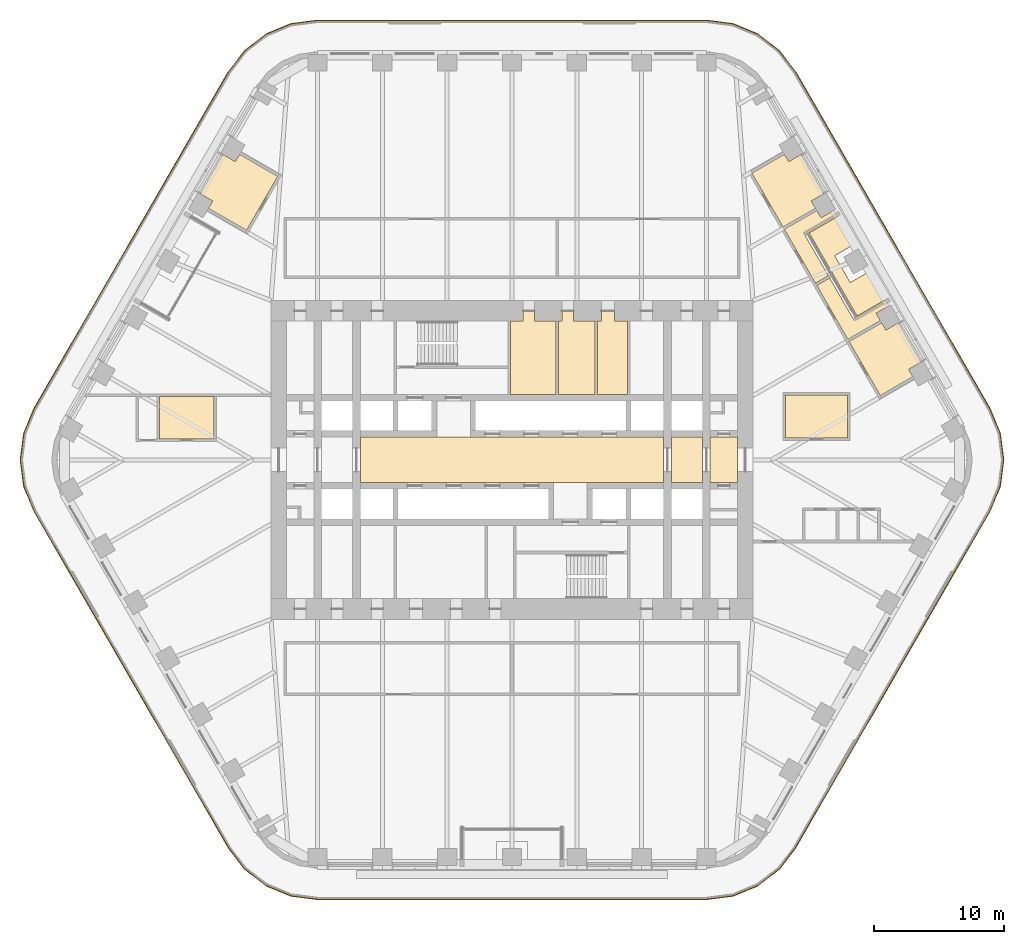
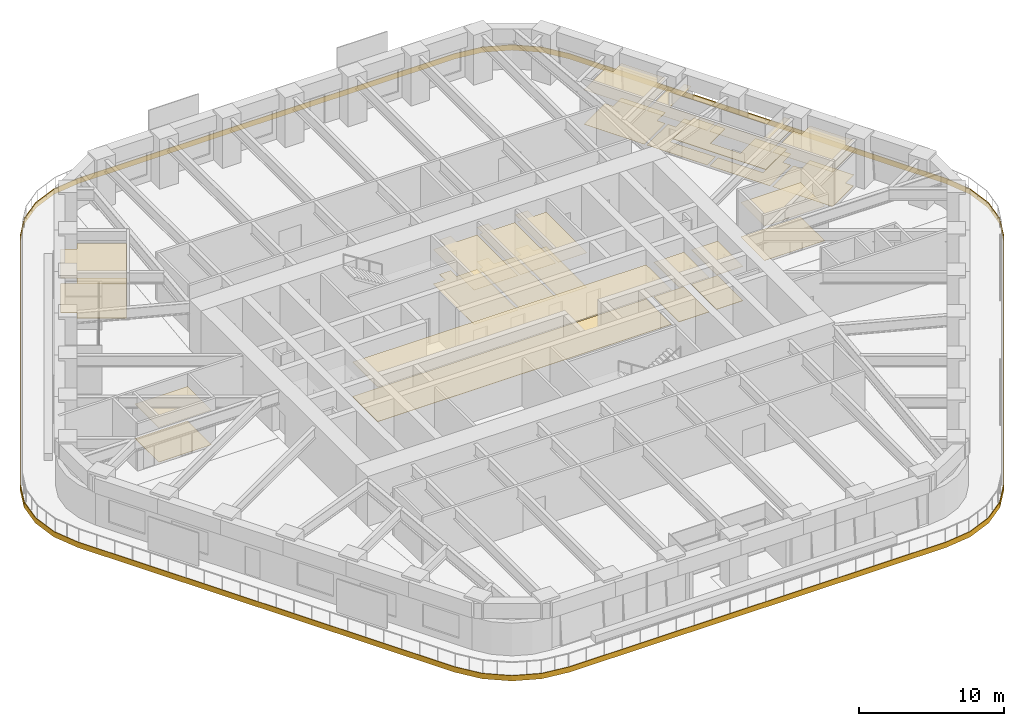
# One storey, part 23 of 24: 16 coverings.
"""IFC4 building model written with IfcOpenShell, lengths in metres."""

from ifc_helpers import new_model, si_unit, direction, frame, origin, place, context, subcontext, project, spatial, polyline, outline, extrude, material, layer, layer_set, type_object, element, save


model = new_model("IFC4")

# Units and contexts
model_context = context("Model", 3, precision=1e-05, world=origin(), true_north=direction((0.0, 1.0)))
body_context = subcontext(model_context, "Body", "Model", "MODEL_VIEW")
ifc_project = project(units=[si_unit("LENGTHUNIT", "METRE"), si_unit("AREAUNIT", "SQUARE_METRE"), si_unit("VOLUMEUNIT", "CUBIC_METRE"), si_unit("PLANEANGLEUNIT", "RADIAN"), si_unit("MASSUNIT", "GRAM", prefix="KILO")], contexts=[model_context])

# Site, building, storey
site_placement = place(None, origin())
site = spatial("IfcSite", under=ifc_project, at=site_placement, CompositionType="ELEMENT")
building_placement = place(site_placement, origin())
building = spatial("IfcBuilding", under=site, at=building_placement, Name="Tarfa Lantern Tower", CompositionType="ELEMENT")
storey_placement = place(building_placement, frame((0.0, 0.0, 195.10009765625)))
storey = spatial("IfcBuildingStorey", under=building, at=storey_placement, Name="L44", CompositionType="ELEMENT", Elevation=195.10009765625)

# Coverings
ifc_material_1 = material(Name="Mineral fibre acoustic tile on suspension grid", Category="finish")
ifc_layer_1 = layer(ifc_material_1, 0.02001953125)
ifc_layer_set_1 = layer_set([ifc_layer_1], Name="CL1 ACOUSTIC TILE CEILING 20")
covering_type_1 = type_object("IfcCoveringType", Name="CL1 ACOUSTIC TILE CEILING 20", PredefinedType="CEILING", material=ifc_layer_set_1)
covering_1_placement = place(storey_placement, frame((0.0, 0.0, 2.89990234375)))
element("IfcCovering", 1, at=covering_1_placement, inside=storey, type_object=covering_type_1, Name="Ceiling L44 CL1", PredefinedType="CEILING", context=body_context, shape_type="SweptSolid", body=[
    extrude(outline(polyline([(26.021240234375, 9.130126953125), (28.53271484375, 10.580078125), (28.857666015625, 10.01708984375), (29.853515625, 10.592041015625), (31.60546875, 7.557861328125), (30.609375, 6.98291015625), (30.9345703125, 6.419921875), (28.423095703125, 4.969970703125), (26.021240234375, 9.130126953125)])), origin(), (0.0, 0.0, 1.0), 0.02001953125),
    extrude(outline(polyline([(25.921142578125, 9.30322265625), (23.519287109375, 13.46337890625), (24.51513671875, 14.038330078125), (26.317138671875, 10.91748046875), (28.82861328125, 12.367431640625), (29.103515625, 11.89111328125), (28.107666015625, 11.316162109375), (28.4326171875, 10.753173828125), (25.921142578125, 9.30322265625)])), origin(), (0.0, 0.0, 1.0), 0.02001953125),
    extrude(outline(polyline([(21.017333984375, 17.796630859375), (23.52880859375, 19.246826171875), (23.85400390625, 18.683837890625), (24.849853515625, 19.2587890625), (25.124755859375, 18.782470703125), (22.61328125, 17.33251953125), (24.415283203125, 14.211669921875), (23.419189453125, 13.63671875), (21.017333984375, 17.796630859375)])), origin(), (0.0, 0.0, 1.0), 0.02001953125),
    extrude(outline(polyline([(18.515625, 22.130126953125), (21.027099609375, 23.580078125), (21.35205078125, 23.01708984375), (22.347900390625, 23.592041015625), (24.099853515625, 20.557861328125), (23.10400390625, 19.98291015625), (23.428955078125, 19.419921875), (20.91748046875, 17.969970703125), (18.515625, 22.130126953125)])), origin(), (0.0, 0.0, 1.0), 0.02001953125),
    extrude(outline(polyline([(-20.484375, 17.719970703125), (-23.428955078125, 19.419921875), (-23.10400390625, 19.98291015625), (-24.099853515625, 20.557861328125), (-22.347900390625, 23.592041015625), (-21.35205078125, 23.01708984375), (-21.027099609375, 23.580078125), (-18.08251953125, 21.880126953125), (-20.484375, 17.719970703125)])), origin(), (0.0, 0.0, 1.0), 0.02001953125),
    extrude(outline(polyline([(21.10009765625, 5.0), (25.89990234375, 5.0), (25.89990234375, 1.699951171875), (21.10009765625, 1.699951171875), (21.10009765625, 5.0)])), origin(), (0.0, 0.0, 1.0), 0.02001953125),
    extrude(outline(polyline([(-27.216064453125, 1.60009765625), (-27.216064453125, 4.89990234375), (-23.01611328125, 4.89990234375), (-23.01611328125, 1.60009765625), (-27.216064453125, 1.60009765625)])), origin(), (0.0, 0.0, 1.0), 0.02001953125),
])
ifc_material_2 = material(Name="Moisture-resistant plasterboard", Category="finish")
ifc_layer_2 = layer(ifc_material_2, 0.014892578125)
ifc_layer_set_2 = layer_set([ifc_layer_2], Name="CL2 MOISTURE-RESISTANT PLASTERBOARD CEILING 15")
covering_type_2 = type_object("IfcCoveringType", Name="CL2 MOISTURE-RESISTANT PLASTERBOARD CEILING 15", PredefinedType="CEILING", material=ifc_layer_set_2)
covering_2_placement = place(storey_placement, frame((0.0, 0.0, 2.89990234375)))
element("IfcCovering", 2, at=covering_2_placement, inside=storey, type_object=covering_type_2, Name="Ceiling L44-09", PredefinedType="CEILING", context=body_context, shape_type="SweptSolid", body=[
    extrude(outline(polyline([(0.85009765625, 10.699951171875), (-0.10009765625, 10.699951171875), (-0.10009765625, 5.050048828125), (3.39990234375, 5.050048828125), (3.39990234375, 10.699951171875), (1.75, 10.699951171875), (1.75, 11.5), (0.85009765625, 11.5), (0.85009765625, 11.5), (0.85009765625, 10.699951171875)])), origin(), (0.0, 0.0, 1.0), 0.014892578125),
])
covering_3_placement = place(storey_placement, frame((0.0, 0.0, 2.89990234375)))
element("IfcCovering", 3, at=covering_3_placement, inside=storey, type_object=covering_type_2, Name="Ceiling L44-10", PredefinedType="CEILING", context=body_context, shape_type="SweptSolid", body=[
    extrude(outline(polyline([(3.60009765625, 5.050048828125), (6.39990234375, 5.050048828125), (6.39990234375, 10.699951171875), (4.75, 10.699951171875), (4.75, 11.5), (3.85009765625, 11.5), (3.85009765625, 10.699951171875), (3.60009765625, 10.699951171875), (3.60009765625, 5.050048828125)])), origin(), (0.0, 0.0, 1.0), 0.014892578125),
])
covering_4_placement = place(storey_placement, frame((0.0, 0.0, 2.89990234375)))
element("IfcCovering", 4, at=covering_4_placement, inside=storey, type_object=covering_type_2, Name="Ceiling L44-11", PredefinedType="CEILING", context=body_context, shape_type="SweptSolid", body=[
    extrude(outline(polyline([(6.60009765625, 5.050048828125), (8.89990234375, 5.050048828125), (8.89990234375, 10.699951171875), (7.89990234375, 10.699951171875), (7.89990234375, 11.5), (6.89990234375, 11.5), (6.89990234375, 10.699951171875), (6.60009765625, 10.699951171875), (6.60009765625, 5.050048828125)])), origin(), (0.0, 0.0, 1.0), 0.014892578125),
])
ifc_material_3 = material(Name="Powder-coated aluminium panel", Category="aluminium")
ifc_layer_3 = layer(ifc_material_3, 0.030029296875)
ifc_layer_set_3 = layer_set([ifc_layer_3], Name="CL3 METAL PANEL CEILING 30")
covering_type_3 = type_object("IfcCoveringType", Name="CL3 METAL PANEL CEILING 30", PredefinedType="CEILING", material=ifc_layer_set_3)
covering_5_placement = place(storey_placement, frame((0.0, 0.0, 2.89990234375)))
element("IfcCovering", 5, at=covering_5_placement, inside=storey, type_object=covering_type_3, Name="Ceiling L44-03", PredefinedType="CEILING", context=body_context, shape_type="SweptSolid", body=[
    extrude(outline(polyline([(-11.699951171875, -1.75), (11.699951171875, -1.75), (11.699951171875, 1.75), (-11.699951171875, 1.75), (-11.699951171875, -1.75)])), origin(), (0.0, 0.0, 1.0), 0.030029296875),
])
covering_6_placement = place(storey_placement, frame((0.0, 0.0, 2.89990234375)))
element("IfcCovering", 6, at=covering_6_placement, inside=storey, type_object=covering_type_3, Name="Ceiling L44-04", PredefinedType="CEILING", context=body_context, shape_type="SweptSolid", body=[
    extrude(outline(polyline([(12.300048828125, -1.75), (14.699951171875, -1.75), (14.699951171875, 1.75), (12.300048828125, 1.75), (12.300048828125, -1.75)])), origin(), (0.0, 0.0, 1.0), 0.030029296875),
])
covering_7_placement = place(storey_placement, frame((0.0, 0.0, 2.89990234375)))
element("IfcCovering", 7, at=covering_7_placement, inside=storey, type_object=covering_type_3, Name="Ceiling L44-05", PredefinedType="CEILING", context=body_context, shape_type="SweptSolid", body=[
    extrude(outline(polyline([(15.300048828125, -1.75), (17.39990234375, -1.75), (17.39990234375, 1.75), (15.300048828125, 1.75), (15.300048828125, -1.75)])), origin(), (0.0, 0.0, 1.0), 0.030029296875),
])
ifc_material_4 = material(Name="Nylon carpet tile", Category="finish")
ifc_layer_4 = layer(ifc_material_4, 0.010009765625)
ifc_layer_set_4 = layer_set([ifc_layer_4], Name="FL1 CARPET TILE 10")
covering_type_4 = type_object("IfcCoveringType", Name="FL1 CARPET TILE 10", PredefinedType="FLOORING", material=ifc_layer_set_4)
covering_8_placement = place(storey_placement, origin())
element("IfcCovering", 8, at=covering_8_placement, inside=storey, type_object=covering_type_4, Name="Floor finish L44 FL1", PredefinedType="FLOORING", context=body_context, shape_type="SweptSolid", body=[
    extrude(outline(polyline([(26.021240234375, 9.130126953125), (28.53271484375, 10.580078125), (28.857666015625, 10.01708984375), (29.853515625, 10.592041015625), (31.60546875, 7.557861328125), (30.609375, 6.98291015625), (30.9345703125, 6.419921875), (28.423095703125, 4.969970703125), (26.021240234375, 9.130126953125)])), origin(), (0.0, 0.0, 1.0), 0.010009765625),
    extrude(outline(polyline([(25.921142578125, 9.30322265625), (23.519287109375, 13.46337890625), (24.51513671875, 14.038330078125), (26.317138671875, 10.91748046875), (28.82861328125, 12.367431640625), (29.103515625, 11.89111328125), (28.107666015625, 11.316162109375), (28.4326171875, 10.753173828125), (25.921142578125, 9.30322265625)])), origin(), (0.0, 0.0, 1.0), 0.010009765625),
    extrude(outline(polyline([(21.017333984375, 17.796630859375), (23.52880859375, 19.246826171875), (23.85400390625, 18.683837890625), (24.849853515625, 19.2587890625), (25.124755859375, 18.782470703125), (22.61328125, 17.33251953125), (24.415283203125, 14.211669921875), (23.419189453125, 13.63671875), (21.017333984375, 17.796630859375)])), origin(), (0.0, 0.0, 1.0), 0.010009765625),
    extrude(outline(polyline([(18.515625, 22.130126953125), (21.027099609375, 23.580078125), (21.35205078125, 23.01708984375), (22.347900390625, 23.592041015625), (24.099853515625, 20.557861328125), (23.10400390625, 19.98291015625), (23.428955078125, 19.419921875), (20.91748046875, 17.969970703125), (18.515625, 22.130126953125)])), origin(), (0.0, 0.0, 1.0), 0.010009765625),
    extrude(outline(polyline([(-20.484375, 17.719970703125), (-23.428955078125, 19.419921875), (-23.10400390625, 19.98291015625), (-24.099853515625, 20.557861328125), (-22.347900390625, 23.592041015625), (-21.35205078125, 23.01708984375), (-21.027099609375, 23.580078125), (-18.08251953125, 21.880126953125), (-20.484375, 17.719970703125)])), origin(), (0.0, 0.0, 1.0), 0.010009765625),
    extrude(outline(polyline([(21.10009765625, 5.0), (25.89990234375, 5.0), (25.89990234375, 1.699951171875), (21.10009765625, 1.699951171875), (21.10009765625, 5.0)])), origin(), (0.0, 0.0, 1.0), 0.010009765625),
    extrude(outline(polyline([(-27.216064453125, 1.60009765625), (-27.216064453125, 4.89990234375), (-23.01611328125, 4.89990234375), (-23.01611328125, 1.60009765625), (-27.216064453125, 1.60009765625)])), origin(), (0.0, 0.0, 1.0), 0.010009765625),
])
ifc_material_5 = material(Name="Honed limestone flooring", Category="masonry")
ifc_layer_5 = layer(ifc_material_5, 0.030029296875)
ifc_layer_set_5 = layer_set([ifc_layer_5], Name="FL2 STONE FLOORING 30")
covering_type_5 = type_object("IfcCoveringType", Name="FL2 STONE FLOORING 30", PredefinedType="FLOORING", material=ifc_layer_set_5)
covering_9_placement = place(storey_placement, origin())
element("IfcCovering", 9, at=covering_9_placement, inside=storey, type_object=covering_type_5, Name="Floor finish L44-03", PredefinedType="FLOORING", context=body_context, shape_type="SweptSolid", body=[
    extrude(outline(polyline([(-11.699951171875, -1.75), (11.699951171875, -1.75), (11.699951171875, 1.75), (-11.699951171875, 1.75), (-11.699951171875, -1.75)])), origin(), (0.0, 0.0, 1.0), 0.02978515625),
])
covering_10_placement = place(storey_placement, origin())
element("IfcCovering", 10, at=covering_10_placement, inside=storey, type_object=covering_type_5, Name="Floor finish L44-04", PredefinedType="FLOORING", context=body_context, shape_type="SweptSolid", body=[
    extrude(outline(polyline([(12.300048828125, -1.75), (14.699951171875, -1.75), (14.699951171875, 1.75), (12.300048828125, 1.75), (12.300048828125, -1.75)])), origin(), (0.0, 0.0, 1.0), 0.02978515625),
])
covering_11_placement = place(storey_placement, origin())
element("IfcCovering", 11, at=covering_11_placement, inside=storey, type_object=covering_type_5, Name="Floor finish L44-05", PredefinedType="FLOORING", context=body_context, shape_type="SweptSolid", body=[
    extrude(outline(polyline([(15.300048828125, -1.75), (17.39990234375, -1.75), (17.39990234375, 1.75), (15.300048828125, 1.75), (15.300048828125, -1.75)])), origin(), (0.0, 0.0, 1.0), 0.02978515625),
])
ifc_material_6 = material(Name="Porcelain floor tile", Category="finish")
ifc_layer_6 = layer(ifc_material_6, 0.011962890625)
ifc_layer_set_6 = layer_set([ifc_layer_6], Name="FL3 CERAMIC TILE 12")
covering_type_6 = type_object("IfcCoveringType", Name="FL3 CERAMIC TILE 12", PredefinedType="FLOORING", material=ifc_layer_set_6)
covering_12_placement = place(storey_placement, origin())
element("IfcCovering", 12, at=covering_12_placement, inside=storey, type_object=covering_type_6, Name="Floor finish L44-09", PredefinedType="FLOORING", context=body_context, shape_type="SweptSolid", body=[
    extrude(outline(polyline([(0.85009765625, 10.699951171875), (-0.10009765625, 10.699951171875), (-0.10009765625, 5.050048828125), (3.39990234375, 5.050048828125), (3.39990234375, 10.699951171875), (1.75, 10.699951171875), (1.75, 11.5), (0.85009765625, 11.5), (0.85009765625, 11.5), (0.85009765625, 10.699951171875)])), origin(), (0.0, 0.0, 1.0), 0.011962890625),
])
covering_13_placement = place(storey_placement, origin())
element("IfcCovering", 13, at=covering_13_placement, inside=storey, type_object=covering_type_6, Name="Floor finish L44-10", PredefinedType="FLOORING", context=body_context, shape_type="SweptSolid", body=[
    extrude(outline(polyline([(3.60009765625, 5.050048828125), (6.39990234375, 5.050048828125), (6.39990234375, 10.699951171875), (4.75, 10.699951171875), (4.75, 11.5), (3.85009765625, 11.5), (3.85009765625, 10.699951171875), (3.60009765625, 10.699951171875), (3.60009765625, 5.050048828125)])), origin(), (0.0, 0.0, 1.0), 0.011962890625),
])
covering_14_placement = place(storey_placement, origin())
element("IfcCovering", 14, at=covering_14_placement, inside=storey, type_object=covering_type_6, Name="Floor finish L44-11", PredefinedType="FLOORING", context=body_context, shape_type="SweptSolid", body=[
    extrude(outline(polyline([(6.60009765625, 5.050048828125), (8.89990234375, 5.050048828125), (8.89990234375, 10.699951171875), (7.89990234375, 10.699951171875), (7.89990234375, 11.5), (6.89990234375, 11.5), (6.89990234375, 10.699951171875), (6.60009765625, 10.699951171875), (6.60009765625, 5.050048828125)])), origin(), (0.0, 0.0, 1.0), 0.011962890625),
])
ifc_material_7 = material(Name="Porcelain pavers on pedestals", Category="ceramic")
ifc_layer_7 = layer(ifc_material_7, 0.0400390625)
ifc_layer_set_7 = layer_set([ifc_layer_7], Name="LP1 LOGGIA PAVING 40")
covering_type_7 = type_object("IfcCoveringType", Name="LP1 LOGGIA PAVING 40", PredefinedType="FLOORING", material=ifc_layer_set_7)
covering_15_placement = place(storey_placement, origin())
element("IfcCovering", 15, at=covering_15_placement, inside=storey, type_object=covering_type_7, Name="Loggia paving NE", PredefinedType="FLOORING", context=body_context, shape_type="SweptSolid", body=[
    extrude(outline(polyline([(29.131591796875, 12.54248046875), (26.637451171875, 11.1025390625), (22.933837890625, 17.517578125), (25.427978515625, 18.95751953125), (26.6796875, 16.789306640625), (24.904541015625, 15.76416015625), (26.1044921875, 13.685791015625), (27.8798828125, 14.710693359375), (29.131591796875, 12.54248046875)])), origin(), (0.0, 0.0, 1.0), 0.039794921875),
])
ifc_material_8 = material(Name="Limestone cladding on brackets", Category="masonry")
ifc_layer_8 = layer(ifc_material_8, 0.050048828125)
ifc_layer_set_8 = layer_set([ifc_layer_8], Name="SB1 STONE BAND CLADDING 50")
covering_type_8 = type_object("IfcCoveringType", Name="SB1 STONE BAND CLADDING 50", PredefinedType="CLADDING", material=ifc_layer_set_8)
covering_16_placement = place(storey_placement, frame((0.0, 0.0, -0.400146484375)))
element("IfcCovering", 16, at=covering_16_placement, inside=storey, type_object=covering_type_8, Name="Stone band", PredefinedType="CLADDING", context=body_context, shape_type="SweptSolid", body=[
    extrude(outline(polyline([(36.9072265625, 3.97509765625), (21.89599609375, 29.97509765625), (20.632568359375, 31.62158203125), (18.986083984375, 32.885009765625), (17.068603515625, 33.67919921875), (15.010986328125, 33.949951171875), (-15.010986328125, 33.949951171875), (-17.068603515625, 33.67919921875), (-18.986083984375, 32.885009765625), (-20.632568359375, 31.62158203125), (-21.89599609375, 29.97509765625), (-36.9072265625, 3.97509765625), (-37.701416015625, 2.0576171875), (-37.97216796875, 0.0), (-37.701416015625, -2.0576171875), (-36.9072265625, -3.97509765625), (-21.89599609375, -29.97509765625), (-20.632568359375, -31.62158203125), (-18.986083984375, -32.885009765625), (-17.068603515625, -33.67919921875), (-15.010986328125, -33.949951171875), (15.010986328125, -33.949951171875), (17.068603515625, -33.67919921875), (18.986083984375, -32.885009765625), (20.632568359375, -31.62158203125), (21.89599609375, -29.97509765625), (36.9072265625, -3.97509765625), (37.701416015625, -2.0576171875), (37.97216796875, 0.0), (37.701416015625, 2.0576171875), (36.9072265625, 3.97509765625)]), holes=[polyline([(36.86376953125, 3.949951171875), (21.852783203125, 29.949951171875), (20.59716796875, 31.586181640625), (18.961181640625, 32.841552734375), (17.0556640625, 33.630859375), (15.010986328125, 33.89990234375), (-15.010986328125, 33.89990234375), (-17.0556640625, 33.630859375), (-18.961181640625, 32.841552734375), (-20.59716796875, 31.586181640625), (-21.852783203125, 29.949951171875), (-36.86376953125, 3.949951171875), (-37.653076171875, 2.044677734375), (-37.922119140625, 0.0), (-37.653076171875, -2.044677734375), (-36.86376953125, -3.949951171875), (-21.852783203125, -29.949951171875), (-20.59716796875, -31.586181640625), (-18.961181640625, -32.841552734375), (-17.0556640625, -33.630859375), (-15.010986328125, -33.89990234375), (15.010986328125, -33.89990234375), (17.0556640625, -33.630859375), (18.961181640625, -32.841552734375), (20.59716796875, -31.586181640625), (21.852783203125, -29.949951171875), (36.86376953125, -3.949951171875), (37.653076171875, -2.044677734375), (37.922119140625, 0.0), (37.653076171875, 2.044677734375), (36.86376953125, 3.949951171875)])]), origin(), (0.0, 0.0, 1.0), 0.449951171875),
])

save(model, "model.ifc")
